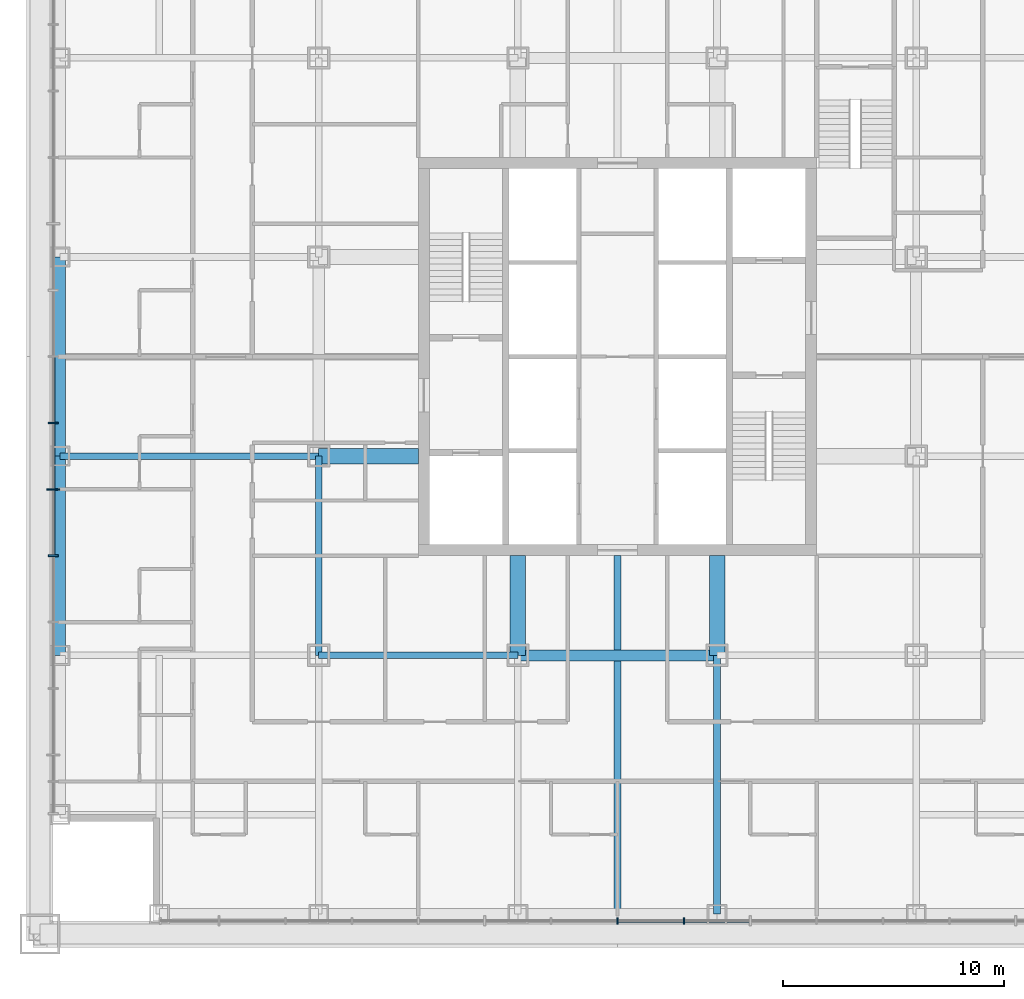
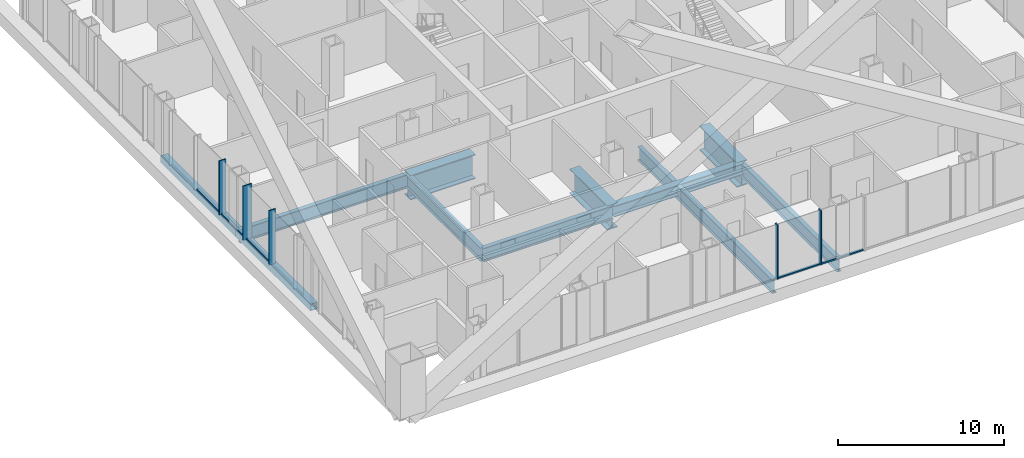
# One storey, part 4 of 21: 11 beams, 10 members, 2 elements without a shape of their own.
"""IFC4 building model written with IfcOpenShell, lengths in metres."""

from ifc_helpers import new_model, si_unit, direction, frame, origin, origin_2d, place, context, subcontext, project, spatial, rectangle, hollow_rectangle, i_section, extrude, material, layer, layer_set, material_profile, profile_set, type_object, element, aggregate, save


model = new_model("IFC4")

# Units and contexts
model_context = context("Model", 3, precision=1e-05, world=origin(), true_north=direction((0.0, 1.0)))
body_context = subcontext(model_context, "Body", "Model", "MODEL_VIEW")
ifc_project = project(units=[si_unit("LENGTHUNIT", "METRE"), si_unit("AREAUNIT", "SQUARE_METRE"), si_unit("VOLUMEUNIT", "CUBIC_METRE"), si_unit("PLANEANGLEUNIT", "RADIAN"), si_unit("MASSUNIT", "GRAM", prefix="KILO")], contexts=[model_context])

# Site, building, storey
site_placement = place(None, origin())
site = spatial("IfcSite", under=ifc_project, at=site_placement, CompositionType="ELEMENT")
building_placement = place(site_placement, origin())
building = spatial("IfcBuilding", under=site, at=building_placement, Name="Malebo Sky Hospital", CompositionType="ELEMENT")
storey_placement = place(building_placement, frame((0.0, 0.0, 63.0)))
storey = spatial("IfcBuildingStorey", under=building, at=storey_placement, Name="L14", CompositionType="ELEMENT", Elevation=63.0)

# Curtain wall, members
ifc_material_1 = material(Name="Anodised aluminium, natural silver", Category="aluminium")
ifc_layer_1 = layer(ifc_material_1, 0.25)
ifc_layer_set_1 = layer_set([ifc_layer_1], Name="WARD CURTAIN WALL EAST AND WEST")
curtain_wall_type_1 = type_object("IfcCurtainWallType", Name="WARD CURTAIN WALL EAST AND WEST", PredefinedType="NOTDEFINED", material=ifc_layer_set_1)
curtain_wall_1_placement = place(storey_placement, origin())
curtain_wall_1 = element("IfcCurtainWall", 1, at=curtain_wall_1_placement, inside=storey, type_object=curtain_wall_type_1, Name="EW curtain wall W", PredefinedType="NOTDEFINED")
ifc_material_profile_1 = material_profile(ifc_material_1, rectangle(XDim=0.14990234375, YDim=0.10009765625, at=origin_2d()), Name="ALUMINIUM TRANSOM 150x100")
ifc_profile_set_1 = profile_set([ifc_material_profile_1], Name="Anodised aluminium, natural silver")
member_type_1 = type_object("IfcMemberType", Name="ALUMINIUM TRANSOM 150x100", PredefinedType="USERDEFINED", material=ifc_profile_set_1)
member_1_placement = place(storey_placement, frame((34.5, 53.03759765625, 0.050048828125), z_axis=(0.0, 1.0, 0.0), x_axis=(-1.0, 0.0, 0.0)))
member_1 = element("IfcMember", 2, at=member_1_placement, type_object=member_type_1, Name="Transom 6", ObjectType="TRANSOM", PredefinedType="USERDEFINED", context=body_context, shape_type="SweptSolid", body=[
    extrude(rectangle(XDim=0.14990234375, YDim=0.10009765625, at=origin_2d()), origin(), (0.0, 0.0, 1.0), 2.9248046875),
])
member_2_placement = place(storey_placement, frame((34.5, 56.03759765625, 0.050048828125), z_axis=(0.0, 1.0, 0.0), x_axis=(-1.0, 0.0, 0.0)))
member_2 = element("IfcMember", 3, at=member_2_placement, type_object=member_type_1, Name="Transom 7", ObjectType="TRANSOM", PredefinedType="USERDEFINED", context=body_context, shape_type="SweptSolid", body=[
    extrude(rectangle(XDim=0.14990234375, YDim=0.10009765625, at=origin_2d()), origin(), (0.0, 0.0, 1.0), 2.9248046875),
])
member_3_placement = place(storey_placement, frame((34.5, 59.03759765625, 0.050048828125), z_axis=(0.0, 1.0, 0.0), x_axis=(-1.0, 0.0, 0.0)))
member_3 = element("IfcMember", 4, at=member_3_placement, type_object=member_type_1, Name="Transom 8", ObjectType="TRANSOM", PredefinedType="USERDEFINED", context=body_context, shape_type="SweptSolid", body=[
    extrude(rectangle(XDim=0.14990234375, YDim=0.10009765625, at=origin_2d()), origin(), (0.0, 0.0, 1.0), 2.9248046875),
])

ifc_layer_2 = layer(ifc_material_1, 0.25)
ifc_layer_set_2 = layer_set([ifc_layer_2], Name="WARD CURTAIN WALL NORTH AND SOUTH")
curtain_wall_type_2 = type_object("IfcCurtainWallType", Name="WARD CURTAIN WALL NORTH AND SOUTH", PredefinedType="NOTDEFINED", material=ifc_layer_set_2)
curtain_wall_2_placement = place(storey_placement, origin())
curtain_wall_2 = element("IfcCurtainWall", 5, at=curtain_wall_2_placement, inside=storey, type_object=curtain_wall_type_2, Name="NS curtain wall S", PredefinedType="NOTDEFINED")
member_4_placement = place(storey_placement, frame((65.96240234375, 36.5, 0.050048828125), z_axis=(-1.0, 0.0, 0.0), x_axis=(0.0, -1.0, 0.0)))
member_4 = element("IfcMember", 6, at=member_4_placement, type_object=member_type_1, Name="Transom 7", ObjectType="TRANSOM", PredefinedType="USERDEFINED", context=body_context, shape_type="SweptSolid", body=[
    extrude(rectangle(XDim=0.14990234375, YDim=0.10009765625, at=origin_2d()), origin(), (0.0, 0.0, 1.0), 2.9248046875),
])
member_5_placement = place(storey_placement, frame((62.96240234375, 36.5, 0.050048828125), z_axis=(-1.0, 0.0, 0.0), x_axis=(0.0, -1.0, 0.0)))
member_5 = element("IfcMember", 7, at=member_5_placement, type_object=member_type_1, Name="Transom 8", ObjectType="TRANSOM", PredefinedType="USERDEFINED", context=body_context, shape_type="SweptSolid", body=[
    extrude(rectangle(XDim=0.14990234375, YDim=0.10009765625, at=origin_2d()), origin(), (0.0, 0.0, 1.0), 2.9248046875),
])
ifc_material_profile_2 = material_profile(ifc_material_1, rectangle(XDim=0.074951171875, YDim=0.300048828125, at=origin_2d()), Name="CW1 ALUMINIUM FIN MULLION 75x300")
ifc_profile_set_2 = profile_set([ifc_material_profile_2], Name="Anodised aluminium, natural silver")
member_type_2 = type_object("IfcMemberType", Name="CW1 ALUMINIUM FIN MULLION 75x300", PredefinedType="MULLION", material=ifc_profile_set_2)
member_6_placement = place(storey_placement, frame((63.0, 36.5, 0.0), z_axis=(0.0, 0.0, 1.0), x_axis=(-1.0, 0.0, 0.0)))
member_6 = element("IfcMember", 8, at=member_6_placement, type_object=member_type_2, Name="Fin mullion 8", PredefinedType="MULLION", context=body_context, shape_type="SweptSolid", body=[
    extrude(rectangle(XDim=0.074951171875, YDim=0.300048828125, at=origin_2d()), origin(), (0.0, 0.0, 1.0), 4.0),
])
member_7_placement = place(storey_placement, frame((60.0, 36.5, 0.0), z_axis=(0.0, 0.0, 1.0), x_axis=(-1.0, 0.0, 0.0)))
member_7 = element("IfcMember", 9, at=member_7_placement, type_object=member_type_2, Name="Fin mullion 9", PredefinedType="MULLION", context=body_context, shape_type="SweptSolid", body=[
    extrude(rectangle(XDim=0.074951171875, YDim=0.300048828125, at=origin_2d()), origin(), (0.0, 0.0, 1.0), 4.0),
])
aggregate(curtain_wall_2, [member_6, member_7, member_4, member_5])

# Member
ifc_material_profile_3 = material_profile(ifc_material_1, rectangle(XDim=0.074951171875, YDim=0.449951171875, at=origin_2d()), Name="CW2 ALUMINIUM FIN MULLION 75x450")
ifc_profile_set_3 = profile_set([ifc_material_profile_3], Name="Anodised aluminium, natural silver")
member_type_3 = type_object("IfcMemberType", Name="CW2 ALUMINIUM FIN MULLION 75x450", PredefinedType="MULLION", material=ifc_profile_set_3)
member_8_placement = place(storey_placement, frame((34.5, 53.0, 0.0), z_axis=(0.0, 0.0, 1.0), x_axis=(0.0, 1.0, 0.0)))
member_8 = element("IfcMember", 10, at=member_8_placement, type_object=member_type_3, Name="Fin mullion 6", PredefinedType="MULLION", context=body_context, shape_type="SweptSolid", body=[
    extrude(rectangle(XDim=0.074951171875, YDim=0.449951171875, at=origin_2d()), origin(), (0.0, 0.0, 1.0), 4.0),
])

member_9_placement = place(storey_placement, frame((34.5, 59.0, 0.0), z_axis=(0.0, 0.0, 1.0), x_axis=(0.0, 1.0, 0.0)))
member_9 = element("IfcMember", 11, at=member_9_placement, type_object=member_type_3, Name="Fin mullion 8", PredefinedType="MULLION", context=body_context, shape_type="SweptSolid", body=[
    extrude(rectangle(XDim=0.074951171875, YDim=0.449951171875, at=origin_2d()), origin(), (0.0, 0.0, 1.0), 4.0),
])

ifc_material_profile_4 = material_profile(ifc_material_1, rectangle(XDim=0.074951171875, YDim=0.60009765625, at=origin_2d()), Name="CW2 ALUMINIUM FIN MULLION 75x600")
ifc_profile_set_4 = profile_set([ifc_material_profile_4], Name="Anodised aluminium, natural silver")
member_type_4 = type_object("IfcMemberType", Name="CW2 ALUMINIUM FIN MULLION 75x600", PredefinedType="MULLION", material=ifc_profile_set_4)
member_10_placement = place(storey_placement, frame((34.5, 56.0, 0.0), z_axis=(0.0, 0.0, 1.0), x_axis=(0.0, 1.0, 0.0)))
member_10 = element("IfcMember", 12, at=member_10_placement, type_object=member_type_4, Name="Fin mullion 7", PredefinedType="MULLION", context=body_context, shape_type="SweptSolid", body=[
    extrude(rectangle(XDim=0.074951171875, YDim=0.60009765625, at=origin_2d()), origin(), (0.0, 0.0, 1.0), 4.0),
])

aggregate(curtain_wall_1, [member_8, member_10, member_9, member_1, member_2, member_3])

# Beams
ifc_material_2 = material(Name="Steel S460", Category="steel")
ifc_material_profile_5 = material_profile(ifc_material_2, hollow_rectangle(XDim=0.5, YDim=0.5, WallThickness=0.030029296875, at=origin_2d()), Name="BOX 500x500x30")
ifc_profile_set_5 = profile_set([ifc_material_profile_5], Name="Steel S460")
beam_type_1 = type_object("IfcBeamType", Name="EDGE BEAM BOX 500x500x30", PredefinedType="BEAM", material=ifc_profile_set_5)
for number, where, z_axis, x_axis, name in (
    (13, (34.800048828125, 48.5, -0.5), (0.0, 1.0, 0.0), (-1.0, 0.0, 0.0), "Beam 001 L14"),
    (14, (34.800048828125, 57.5, -0.5), (0.0, 1.0, 0.0), (-1.0, 0.0, 0.0), "Beam 002 L14"),
):
    element("IfcBeam", number, at=place(storey_placement, frame(where, z_axis=z_axis, x_axis=x_axis)), inside=storey, type_object=beam_type_1, Name=name, PredefinedType="BEAM", context=body_context, shape_type="SweptSolid", body=[
        extrude(hollow_rectangle(XDim=0.5, YDim=0.5, WallThickness=0.030029296875, at=origin_2d()), origin(), (0.0, 0.0, 1.0), 9.0),
    ])
ifc_material_3 = material(Name="Steel S355", Category="steel")
ifc_material_profile_6 = material_profile(ifc_material_3, i_section(OverallWidth=0.300048828125, OverallDepth=1.0, WebThickness=0.01904296875, FlangeThickness=0.035888671875, FilletRadius=0.030029296875, at=origin_2d()), Name="HEB 1000")
ifc_profile_set_6 = profile_set([ifc_material_profile_6], Name="Steel S355")
beam_type_2 = type_object("IfcBeamType", Name="FLOOR BEAM HEB 1000", PredefinedType="BEAM", material=ifc_profile_set_6)
beam_1_placement = place(storey_placement, frame((46.5, 48.5, -0.75), z_axis=(0.0, 1.0, 0.0), x_axis=(-1.0, 0.0, 0.0)))
element("IfcBeam", 15, at=beam_1_placement, inside=storey, type_object=beam_type_2, Name="Beam 008 L14", PredefinedType="BEAM", context=body_context, shape_type="SweptSolid", body=[
    extrude(i_section(OverallWidth=0.300048828125, OverallDepth=1.0, WebThickness=0.01904296875, FlangeThickness=0.035888671875, FilletRadius=0.030029296875, at=origin_2d()), origin(), (0.0, 0.0, 1.0), 9.0),
])
beam_2_placement = place(storey_placement, frame((60.0, 36.800048828125, -0.75), z_axis=(0.0, 1.0, 0.0), x_axis=(-1.0, 0.0, 0.0)))
element("IfcBeam", 16, at=beam_2_placement, inside=storey, type_object=beam_type_2, Name="Beam 016 L14", PredefinedType="BEAM", context=body_context, shape_type="SweptSolid", body=[
    extrude(i_section(OverallWidth=0.300048828125, OverallDepth=1.0, WebThickness=0.01904296875, FlangeThickness=0.035888671875, FilletRadius=0.030029296875, at=origin_2d()), origin(), (0.0, 0.0, 1.0), 16.199951171875),
])
beam_3_placement = place(storey_placement, frame((64.5, 36.800048828125, -0.75), z_axis=(0.0, 1.0, 0.0), x_axis=(-1.0, 0.0, 0.0)))
element("IfcBeam", 17, at=beam_3_placement, inside=storey, type_object=beam_type_2, Name="Beam 018 L14", PredefinedType="BEAM", context=body_context, shape_type="SweptSolid", body=[
    extrude(i_section(OverallWidth=0.300048828125, OverallDepth=1.0, WebThickness=0.01904296875, FlangeThickness=0.035888671875, FilletRadius=0.030029296875, at=origin_2d()), origin(), (0.0, 0.0, 1.0), 11.699951171875),
])
beam_4_placement = place(storey_placement, frame((46.5, 48.5, -0.75), z_axis=(1.0, 0.0, 0.0), x_axis=(0.0, 1.0, 0.0)))
element("IfcBeam", 18, at=beam_4_placement, inside=storey, type_object=beam_type_2, Name="Beam 042 L14", PredefinedType="BEAM", context=body_context, shape_type="SweptSolid", body=[
    extrude(i_section(OverallWidth=0.300048828125, OverallDepth=1.0, WebThickness=0.01904296875, FlangeThickness=0.035888671875, FilletRadius=0.030029296875, at=origin_2d()), origin(), (0.0, 0.0, 1.0), 9.0),
])
beam_5_placement = place(storey_placement, frame((34.800048828125, 57.5, -0.75), z_axis=(1.0, 0.0, 0.0), x_axis=(0.0, 1.0, 0.0)))
element("IfcBeam", 19, at=beam_5_placement, inside=storey, type_object=beam_type_2, Name="Beam 046 L14", PredefinedType="BEAM", context=body_context, shape_type="SweptSolid", body=[
    extrude(i_section(OverallWidth=0.300048828125, OverallDepth=1.0, WebThickness=0.01904296875, FlangeThickness=0.035888671875, FilletRadius=0.030029296875, at=origin_2d()), origin(), (0.0, 0.0, 1.0), 11.699951171875),
])
ifc_material_profile_7 = material_profile(ifc_material_3, i_section(OverallWidth=0.699951171875, OverallDepth=1.800048828125, WebThickness=0.034912109375, FlangeThickness=0.070068359375, at=origin_2d()), Name="PG 1800x700x35x70")
ifc_profile_set_7 = profile_set([ifc_material_profile_7], Name="Steel S355")
beam_type_3 = type_object("IfcBeamType", Name="FLOOR BEAM PG 1800x700x35x70", PredefinedType="BEAM", material=ifc_profile_set_7)
for number, where, z_axis, x_axis, name in (
    (20, (55.5, 48.5, -1.14990234375), (0.0, 1.0, 0.0), (-1.0, 0.0, 0.0), "Beam 013 L14"),
    (21, (64.5, 48.5, -1.14990234375), (0.0, 1.0, 0.0), (-1.0, 0.0, 0.0), "Beam 019 L14"),
    (22, (46.5, 57.5, -1.14990234375), (1.0, 0.0, 0.0), (0.0, 1.0, 0.0), "Beam 047 L14"),
):
    element("IfcBeam", number, at=place(storey_placement, frame(where, z_axis=z_axis, x_axis=x_axis)), inside=storey, type_object=beam_type_3, Name=name, PredefinedType="BEAM", context=body_context, shape_type="SweptSolid", body=[
        extrude(i_section(OverallWidth=0.699951171875, OverallDepth=1.800048828125, WebThickness=0.034912109375, FlangeThickness=0.070068359375, at=origin_2d()), origin(), (0.0, 0.0, 1.0), 4.5),
    ])
ifc_material_profile_8 = material_profile(ifc_material_3, i_section(OverallWidth=0.5, OverallDepth=0.800048828125, WebThickness=0.030029296875, FlangeThickness=0.050048828125, at=origin_2d()), Name="PG 800x500x30x50")
ifc_profile_set_8 = profile_set([ifc_material_profile_8], Name="Steel S355")
beam_type_4 = type_object("IfcBeamType", Name="RING GIRDER PG 800x500x30x50", PredefinedType="BEAM", material=ifc_profile_set_8)
beam_6_placement = place(storey_placement, frame((55.5, 48.5, -0.64990234375), z_axis=(1.0, 0.0, 0.0), x_axis=(0.0, 1.0, 0.0)))
element("IfcBeam", 23, at=beam_6_placement, inside=storey, type_object=beam_type_4, Name="Beam 043 L14", PredefinedType="BEAM", context=body_context, shape_type="SweptSolid", body=[
    extrude(i_section(OverallWidth=0.5, OverallDepth=0.800048828125, WebThickness=0.030029296875, FlangeThickness=0.050048828125, at=origin_2d()), origin(), (0.0, 0.0, 1.0), 9.0),
])

save(model, "model.ifc")
